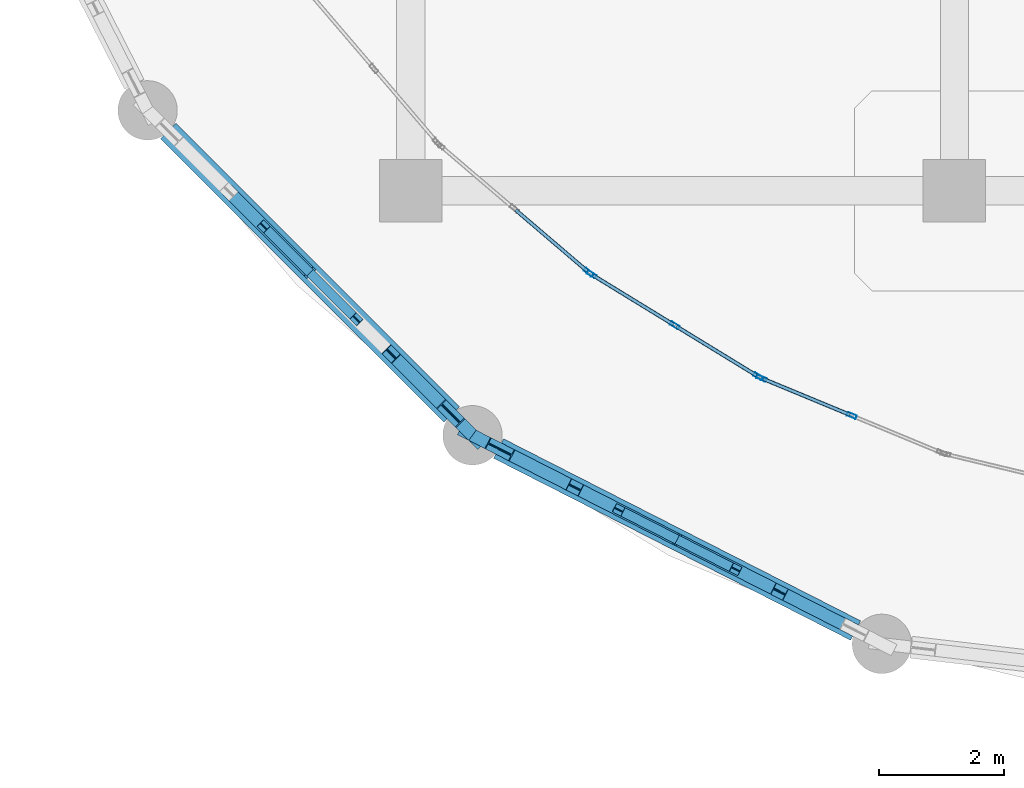
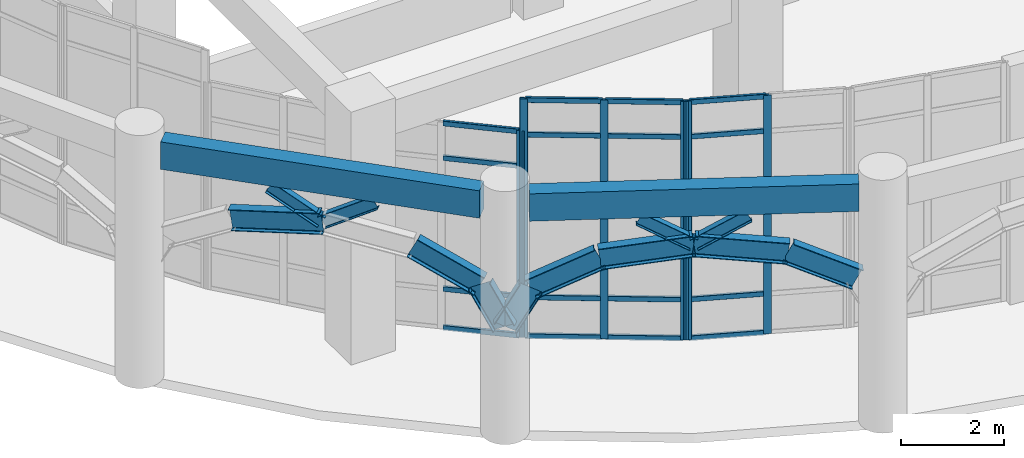
# One storey, part 2 of 82: 26 members, 10 beams, 3 elements without a shape of their own.
"""IFC4 building model written with IfcOpenShell, lengths in metres."""

import ifcopenshell
import ifcopenshell.guid

model = None  # the IFC model being written
_history = None  # IfcOwnerHistory: only IFC2X3 demands one
_inside = {}  # id of a spatial element -> (the spatial element, [elements in it])
_under = {}  # id of a project, library or spatial element -> (it, [spatial elements below it])
_declared = {}  # id of a project -> (the project, [libraries it declares])
_typed = {}  # id of a type object -> (the type object, [elements of that type])
_made_of = {}  # id of a material, layer set ... -> (it, [elements and type objects made of it])


def new_model(schema):
    """Start an empty IFC model of exactly this schema.

    Asked for "IFC4X3", IfcOpenShell would pick the latest addendum, in which some entities
    have other attributes; the version numbers below select the first issue.
    IFC2X3 requires an IfcOwnerHistory on every rooted entity: one is made here for all.
    """
    global model, _history
    if schema == "IFC4X3":
        model = ifcopenshell.file(schema_version=(4, 3, 0, 0))
    else:
        model = ifcopenshell.file(schema=schema)
    _inside.clear()
    _under.clear()
    _declared.clear()
    _typed.clear()
    _made_of.clear()
    _history = None
    if model.schema == "IFC2X3":
        org = make("IfcOrganization", Name="unknown")
        user = make(
            "IfcPersonAndOrganization",
            ThePerson=make("IfcPerson", FamilyName="unknown"),
            TheOrganization=org,
        )
        app = make(
            "IfcApplication",
            ApplicationDeveloper=org,
            Version="unknown",
            ApplicationFullName="unknown",
            ApplicationIdentifier="unknown",
        )
        _history = make(
            "IfcOwnerHistory",
            OwningUser=user,
            OwningApplication=app,
            ChangeAction="ADDED",
            CreationDate=0,
        )
    return model


def make(cls, **values):
    """One entity of the class cls with the attributes given. An attribute that is None is left unset."""
    return model.create_entity(
        cls, **{name: value for name, value in values.items() if value is not None}
    )


def rooted(cls, **values):
    """An entity with a GlobalId (a new one), such as an element, a storey or a relation."""
    return make(cls, GlobalId=ifcopenshell.guid.new(), OwnerHistory=_history, **values)


def si_unit(unit_type, name, prefix=None):
    """IfcSIUnit, for example si_unit("LENGTHUNIT", "METRE", prefix="MILLI")."""
    return make("IfcSIUnit", UnitType=unit_type, Prefix=prefix, Name=name)


def derived_unit(unit_type, elements):
    """IfcDerivedUnit: a product of units, each with its exponent."""
    return make(
        "IfcDerivedUnit",
        Elements=[
            make("IfcDerivedUnitElement", Unit=unit, Exponent=power)
            for unit, power in elements
        ],
        UnitType=unit_type,
    )


def assignment(units):
    """IfcUnitAssignment: the units of a project."""
    return None if units is None else make("IfcUnitAssignment", Units=units)


def point(xyz):
    """IfcCartesianPoint."""
    return None if xyz is None else make("IfcCartesianPoint", Coordinates=xyz)


def direction(xyz):
    """IfcDirection."""
    return None if xyz is None else make("IfcDirection", DirectionRatios=xyz)


def frame(location, z_axis=None, x_axis=None):
    """IfcAxis2Placement3D, a coordinate frame: its origin and axes. An axis left out is left unset."""
    return make(
        "IfcAxis2Placement3D",
        Location=point(location),
        Axis=direction(z_axis),
        RefDirection=direction(x_axis),
    )


def frame_2d(location, x_axis=None):
    """IfcAxis2Placement2D, a coordinate frame in the plane: its origin and x axis."""
    return make(
        "IfcAxis2Placement2D", Location=point(location), RefDirection=direction(x_axis)
    )


def origin():
    """The frame at (0, 0, 0) with its axes left unset."""
    return frame((0.0, 0.0, 0.0))


def origin_2d():
    """The frame at (0, 0) in the plane with its x axis left unset."""
    return frame_2d((0.0, 0.0))


def place(relative_to, where):
    """IfcLocalPlacement: puts the frame where relative to a parent placement (None: the world)."""
    return make(
        "IfcLocalPlacement", PlacementRelTo=relative_to, RelativePlacement=where
    )


def context(
    kind, dimensions, precision=None, world=None, true_north=None, identifier=None
):
    """IfcGeometricRepresentationContext, for example the 3D "Model" context."""
    return make(
        "IfcGeometricRepresentationContext",
        ContextIdentifier=identifier,
        ContextType=kind,
        CoordinateSpaceDimension=dimensions,
        Precision=precision,
        WorldCoordinateSystem=world,
        TrueNorth=true_north,
    )


def subcontext(parent, identifier, kind, view, scale=None):
    """IfcGeometricRepresentationSubContext, for example "Body" below "Model"."""
    return make(
        "IfcGeometricRepresentationSubContext",
        ContextIdentifier=identifier,
        ContextType=kind,
        ParentContext=parent,
        TargetScale=scale,
        TargetView=view,
    )


def project(units=None, contexts=None):
    """IfcProject with its units and contexts."""
    return rooted(
        "IfcProject",
        Name="project",
        RepresentationContexts=contexts,
        UnitsInContext=assignment(units),
    )


def spatial(cls, under=None, at=None, **own):
    """A site, building, storey or space (cls), placed at a placement, below another one or the project."""
    s = rooted(cls, ObjectPlacement=at, **own)
    if under is not None:
        _under.setdefault(under.id(), (under, []))[1].append(s)
    return s


def profile(cls, at=None, kind="AREA", **sizes):
    """A parametric profile (cls). Its sizes go by their IFC names, for example OverallWidth=200.0."""
    return make(cls, ProfileType=kind, Position=at, **sizes)


def rectangle(**sizes):
    """IfcRectangleProfileDef."""
    return profile("IfcRectangleProfileDef", **sizes)


def hollow_rectangle(**sizes):
    """IfcRectangleHollowProfileDef."""
    return profile("IfcRectangleHollowProfileDef", **sizes)


def i_section(**sizes):
    """IfcIShapeProfileDef."""
    return profile("IfcIShapeProfileDef", **sizes)


def extrude(swept, where, along, depth):
    """IfcExtrudedAreaSolid: the profile swept, set in the frame where, extruded along a direction by depth."""
    return make(
        "IfcExtrudedAreaSolid",
        SweptArea=swept,
        Position=where,
        ExtrudedDirection=direction(along),
        Depth=depth,
    )


def shape(context_of_items, identifier, shape_type, items):
    """IfcShapeRepresentation: the items that make up one representation, for example the "Body"."""
    return make(
        "IfcShapeRepresentation",
        ContextOfItems=context_of_items,
        RepresentationIdentifier=identifier,
        RepresentationType=shape_type,
        Items=items,
    )


def material(Name=None, Category=None):
    """IfcMaterial."""
    return make("IfcMaterial", Name=Name, Category=Category)


def layer(
    of_material, thickness, ventilated=None, Name=None, Category=None, Priority=None
):
    """IfcMaterialLayer: one layer of a wall or slab, of a material (None: an air gap)."""
    return make(
        "IfcMaterialLayer",
        Material=of_material,
        LayerThickness=thickness,
        IsVentilated=ventilated,
        Name=Name,
        Category=Category,
        Priority=Priority,
    )


def layer_set(layers, Name=None):
    """IfcMaterialLayerSet."""
    return make("IfcMaterialLayerSet", MaterialLayers=layers, LayerSetName=Name)


def material_profile(
    of_material, cross_section, Name=None, Category=None, Priority=None
):
    """IfcMaterialProfile: a cross section and its material."""
    return make(
        "IfcMaterialProfile",
        Name=Name,
        Material=of_material,
        Profile=cross_section,
        Priority=Priority,
        Category=Category,
    )


def profile_set(profiles, Name=None, composite=None):
    """IfcMaterialProfileSet."""
    return make(
        "IfcMaterialProfileSet",
        Name=Name,
        MaterialProfiles=profiles,
        CompositeProfile=composite,
    )


def made_of(thing, what):
    """Note that an element or type object is made of a material, layer set ...; save() writes the relation."""
    if what is not None:
        _made_of.setdefault(what.id(), (what, []))[1].append(thing)
    return thing


def type_object(cls, material=None, **own):
    """A type object (cls), such as IfcWallType, which elements share."""
    return made_of(rooted(cls, **own), material)


def element(
    cls,
    number,
    at=None,
    inside=None,
    cuts=None,
    type_object=None,
    material=None,
    context=None,
    identifier="Body",
    shape_type=None,
    held_by="IfcProductDefinitionShape",
    body=None,
    shapes=None,
    **own,
):
    """One element of the class cls, such as IfcWall. Its Tag is "e" and its number.

    at: its placement. inside: the storey or other place that contains it. cuts: it is an
    opening in that element (IfcRelVoidsElement). A single representation is given by context,
    identifier, shape_type and body (its items); several are given by shapes. held_by: the class
    of the entity that holds the representations. save() writes the other relations.
    """
    e = rooted(cls, Tag="e%d" % number, ObjectPlacement=at, **own)
    if body is not None:
        shapes = [shape(context, identifier, shape_type, body)]
    if shapes is not None:
        e.Representation = make(held_by, Representations=shapes)
    if inside is not None:
        _inside.setdefault(inside.id(), (inside, []))[1].append(e)
    if cuts is not None:
        rooted(
            "IfcRelVoidsElement", RelatingBuildingElement=cuts, RelatedOpeningElement=e
        )
    if type_object is not None:
        _typed.setdefault(type_object.id(), (type_object, []))[1].append(e)
    return made_of(e, material)


def aggregate(whole, parts):
    """IfcRelAggregates: a whole, such as a stair, and the parts it consists of."""
    return rooted("IfcRelAggregates", RelatingObject=whole, RelatedObjects=parts)


def save(model, path):
    """Write the relations noted so far, then the file.

    IfcRelAggregates (storeys below a building ...), IfcRelContainedInSpatialStructure (elements
    in a storey), IfcRelDefinesByType, IfcRelAssociatesMaterial and IfcRelDeclares: one each for
    every whole, place, type object, material and project.
    """
    for whole, parts in _under.values():
        aggregate(whole, parts)
    for where, things in _inside.values():
        rooted(
            "IfcRelContainedInSpatialStructure",
            RelatedElements=things,
            RelatingStructure=where,
        )
    for kind, things in _typed.values():
        rooted("IfcRelDefinesByType", RelatedObjects=things, RelatingType=kind)
    for what, things in _made_of.values():
        rooted("IfcRelAssociatesMaterial", RelatedObjects=things, RelatingMaterial=what)
    for by, libraries in _declared.values():
        rooted("IfcRelDeclares", RelatingContext=by, RelatedDefinitions=libraries)
    model.write(path)


model = new_model("IFC4")

# Units and contexts
model_context = context("Model", 3, precision=1e-05, world=origin(), true_north=direction((0.0, 1.0)))
body_context = subcontext(model_context, "Body", "Model", "MODEL_VIEW")
ifc_project = project(units=[si_unit("LENGTHUNIT", "METRE"), si_unit("AREAUNIT", "SQUARE_METRE"), si_unit("VOLUMEUNIT", "CUBIC_METRE"), si_unit("PLANEANGLEUNIT", "RADIAN"), si_unit("MASSUNIT", "GRAM", prefix="KILO"), derived_unit("THERMALTRANSMITTANCEUNIT", [(si_unit("MASSUNIT", "GRAM", prefix="KILO"), 1), (si_unit("TIMEUNIT", "SECOND"), -3), (si_unit("THERMODYNAMICTEMPERATUREUNIT", "KELVIN"), -1)])], contexts=[model_context])

# Site, building, storey
site_placement = place(None, origin())
site = spatial("IfcSite", under=ifc_project, at=site_placement, CompositionType="ELEMENT")
building_placement = place(site_placement, origin())
building = spatial("IfcBuilding", under=site, at=building_placement, Name="Qinzheling Arcade Emporium", CompositionType="ELEMENT")
storey_placement = place(building_placement, origin())
storey = spatial("IfcBuildingStorey", under=building, at=storey_placement, Name="L01", CompositionType="ELEMENT", Elevation=0.0)

# Beams
ifc_material_1 = material(Name="Weathering steel Q355NH", Category="steel")
ifc_material_profile_1 = material_profile(ifc_material_1, i_section(OverallWidth=0.199951171875, OverallDepth=0.5, WebThickness=0.010009765625, FlangeThickness=0.01611328125, FilletRadius=0.01806640625, at=origin_2d()), Name="HN 500x200x10x16", Category="steel")
ifc_profile_set_1 = profile_set([ifc_material_profile_1], Name="Weathering steel Q355NH")
beam_type_1 = type_object("IfcBeamType", Name="Arcade End Arch Rib HN500 Q355NH", PredefinedType="BEAM", material=ifc_profile_set_1)
beam_1_placement = place(storey_placement, frame((5.7880859375, 8.386962890625, 4.054931640625), z_axis=(0.701096838493, -0.700701780169, 0.132212852338), x_axis=(0.706907474547, 0.707306031665, 0.0)))
element("IfcBeam", 1, at=beam_1_placement, inside=storey, type_object=beam_type_1, Name="Curved Arcade Entrance Arch ARC-L01-CV1-B03-C03", PredefinedType="BEAM", context=body_context, shape_type="SweptSolid", body=[
    extrude(i_section(OverallWidth=0.199951171875, OverallDepth=0.5, WebThickness=0.010009765625, FlangeThickness=0.01611328125, FilletRadius=0.01806640625, at=origin_2d()), origin(), (0.0, 0.0, 1.0), 1.85400390625),
])
beam_2_placement = place(storey_placement, frame((8.386962890625, 5.7880859375, 4.054931640625), z_axis=(0.633632875076, -0.633632875076, -0.443867952489), x_axis=(0.707106781187, 0.707106781187, 0.0)))
element("IfcBeam", 2, at=beam_2_placement, inside=storey, type_object=beam_type_1, Name="Curved Arcade Entrance Arch ARC-L01-CV1-B03-C05", PredefinedType="BEAM", context=body_context, shape_type="SweptSolid", body=[
    extrude(i_section(OverallWidth=0.199951171875, OverallDepth=0.5, WebThickness=0.010009765625, FlangeThickness=0.01611328125, FilletRadius=0.01806640625, at=origin_2d()), origin(), (0.0, 0.0, 1.0), 1.502685546875),
])
beam_3_placement = place(storey_placement, frame((9.339111328125, 4.8359375, 3.387939453125), z_axis=(0.335490398639, -0.335490398639, -0.880279719658), x_axis=(0.707106781187, 0.707106781187, 0.0)))
element("IfcBeam", 3, at=beam_3_placement, inside=storey, type_object=beam_type_1, Name="Curved Arcade Entrance Arch ARC-L01-CV1-B03-C06", PredefinedType="BEAM", context=body_context, shape_type="SweptSolid", body=[
    extrude(i_section(OverallWidth=0.199951171875, OverallDepth=0.5, WebThickness=0.010009765625, FlangeThickness=0.01611328125, FilletRadius=0.01806640625, at=origin_2d()), origin(), (0.0, 0.0, 1.0), 1.037109375),
])
beam_4_placement = place(storey_placement, frame((9.68701171875, 4.488037109375, 2.47509765625), z_axis=(0.423139078222, -0.216040975421, 0.879931598149), x_axis=(0.454726998779, 0.890630875605, 0.0)))
element("IfcBeam", 4, at=beam_4_placement, inside=storey, type_object=beam_type_1, Name="Curved Arcade Entrance Arch ARC-L01-CV1-B04-C01", PredefinedType="BEAM", context=body_context, shape_type="SweptSolid", body=[
    extrude(i_section(OverallWidth=0.199951171875, OverallDepth=0.5, WebThickness=0.010009765625, FlangeThickness=0.01611328125, FilletRadius=0.01806640625, at=origin_2d()), origin(), (0.0, 0.0, 1.0), 1.037353515625),
])
beam_5_placement = place(storey_placement, frame((10.1259765625, 4.263916015625, 3.387939453125), z_axis=(0.798544513318, -0.406182894373, 0.444232052613), x_axis=(0.453373771918, 0.891320493951, 0.0)))
element("IfcBeam", 5, at=beam_5_placement, inside=storey, type_object=beam_type_1, Name="Curved Arcade Entrance Arch ARC-L01-CV1-B04-C02", PredefinedType="BEAM", context=body_context, shape_type="SweptSolid", body=[
    extrude(i_section(OverallWidth=0.199951171875, OverallDepth=0.5, WebThickness=0.010009765625, FlangeThickness=0.01611328125, FilletRadius=0.01806640625, at=origin_2d()), origin(), (0.0, 0.0, 1.0), 1.50146484375),
])
beam_6_placement = place(storey_placement, frame((11.324951171875, 3.654052734375, 4.054931640625), z_axis=(0.88299051089, -0.450384421662, 0.132218116769), x_axis=(0.454373527585, 0.890811258028, 0.0)))
element("IfcBeam", 6, at=beam_6_placement, inside=storey, type_object=beam_type_1, Name="Curved Arcade Entrance Arch ARC-L01-CV1-B04-C03", PredefinedType="BEAM", context=body_context, shape_type="SweptSolid", body=[
    extrude(i_section(OverallWidth=0.199951171875, OverallDepth=0.5, WebThickness=0.010009765625, FlangeThickness=0.01611328125, FilletRadius=0.01806640625, at=origin_2d()), origin(), (0.0, 0.0, 1.0), 1.85400390625),
])
beam_7_placement = place(storey_placement, frame((12.9619140625, 2.819091796875, 4.300048828125), z_axis=(0.883344690441, -0.449702751497, -0.132172588555), x_axis=(0.45368304067, 0.891163115601, 0.0)))
element("IfcBeam", 7, at=beam_7_placement, inside=storey, type_object=beam_type_1, Name="Curved Arcade Entrance Arch ARC-L01-CV1-B04-C04", PredefinedType="BEAM", context=body_context, shape_type="SweptSolid", body=[
    extrude(i_section(OverallWidth=0.199951171875, OverallDepth=0.5, WebThickness=0.010009765625, FlangeThickness=0.01611328125, FilletRadius=0.01806640625, at=origin_2d()), origin(), (0.0, 0.0, 1.0), 1.8544921875),
])
beam_8_placement = place(storey_placement, frame((14.60009765625, 1.985107421875, 4.054931640625), z_axis=(0.798280674248, -0.406861439145, -0.444085278364), x_axis=(0.454094271362, 0.890953642293, 0.0)))
element("IfcBeam", 8, at=beam_8_placement, inside=storey, type_object=beam_type_1, Name="Curved Arcade Entrance Arch ARC-L01-CV1-B04-C05", PredefinedType="BEAM", context=body_context, shape_type="SweptSolid", body=[
    extrude(i_section(OverallWidth=0.199951171875, OverallDepth=0.5, WebThickness=0.010009765625, FlangeThickness=0.01611328125, FilletRadius=0.01806640625, at=origin_2d()), origin(), (0.0, 0.0, 1.0), 1.501953125),
])

# Members
ifc_material_profile_2 = material_profile(ifc_material_1, i_section(OverallWidth=0.14990234375, OverallDepth=0.300048828125, WebThickness=0.006591796875, FlangeThickness=0.009033203125, FilletRadius=0.012939453125, at=origin_2d()), Name="HN 300x150x6.5x9", Category="steel")
ifc_profile_set_2 = profile_set([ifc_material_profile_2], Name="Weathering steel Q355NH")
member_type_1 = type_object("IfcMemberType", Name="Arcade Spandrel Web Chord HN300 Q355NH", PredefinedType="CHORD", material=ifc_profile_set_2)
for number, where, z_axis, x_axis, name in (
    (9, (7.087890625, 7.087890625, 4.31005859375), (-0.604132763855, 0.603537167965, 0.520352275407), (-0.706757965934, -0.707455424453, 0.0), "Arcade Spandrel Web Chord ASW-L01-CV1-B03-W1"),
    (10, (7.087890625, 7.087890625, 4.31005859375), (0.603537167965, -0.604132763855, 0.520352275407), (0.707455424453, 0.706757965934, 0.0), "Arcade Spandrel Web Chord ASW-L01-CV1-B03-W2"),
):
    element("IfcMember", number, at=place(storey_placement, frame(where, z_axis=z_axis, x_axis=x_axis)), inside=storey, type_object=member_type_1, Name=name, PredefinedType="CHORD", context=body_context, shape_type="SweptSolid", body=[
        extrude(i_section(OverallWidth=0.14990234375, OverallDepth=0.300048828125, WebThickness=0.006591796875, FlangeThickness=0.009033203125, FilletRadius=0.012939453125, at=origin_2d()), origin(), (0.0, 0.0, 1.0), 1.229736328125),
    ])
member_1_placement = place(storey_placement, frame((12.9619140625, 2.819091796875, 4.31005859375), z_axis=(-0.760568682786, 0.387931741312, 0.520619095739), x_axis=(-0.454364854238, -0.890815681964, 0.0)))
element("IfcMember", 11, at=member_1_placement, inside=storey, type_object=member_type_1, Name="Arcade Spandrel Web Chord ASW-L01-CV1-B04-W1", PredefinedType="CHORD", context=body_context, shape_type="SweptSolid", body=[
    extrude(i_section(OverallWidth=0.14990234375, OverallDepth=0.300048828125, WebThickness=0.006591796875, FlangeThickness=0.009033203125, FilletRadius=0.012939453125, at=origin_2d()), origin(), (0.0, 0.0, 1.0), 1.22900390625),
])
member_2_placement = place(storey_placement, frame((12.9619140625, 2.819091796875, 4.31005859375), z_axis=(0.760928305929, -0.387807488207, 0.52018599109), x_axis=(0.454078946056, 0.890961453009, 0.0)))
element("IfcMember", 12, at=member_2_placement, inside=storey, type_object=member_type_1, Name="Arcade Spandrel Web Chord ASW-L01-CV1-B04-W2", PredefinedType="CHORD", context=body_context, shape_type="SweptSolid", body=[
    extrude(i_section(OverallWidth=0.14990234375, OverallDepth=0.300048828125, WebThickness=0.006591796875, FlangeThickness=0.009033203125, FilletRadius=0.012939453125, at=origin_2d()), origin(), (0.0, 0.0, 1.0), 1.230224609375),
])

# Curtain wall, members
ifc_material_2 = material(Name="Anodised aluminium and solar-control double glazing", Category="aluminium")
ifc_layer = layer(ifc_material_2, 0.159912109375, Name="Anodised aluminium and solar-control double glazing", Category="aluminium")
ifc_layer_set = layer_set([ifc_layer], Name="Anodised aluminium and solar-control double glazing")
curtain_wall_type = type_object("IfcCurtainWallType", Name="Curved Ribbon Sales Curtain Wall", PredefinedType="NOTDEFINED", material=ifc_layer_set)
curtain_wall_1_placement = place(storey_placement, origin())
curtain_wall_1 = element("IfcCurtainWall", 13, at=curtain_wall_1_placement, inside=storey, type_object=curtain_wall_type, Name="Curtain Wall CW-L01-012", PredefinedType="NOTDEFINED")
ifc_material_3 = material(Name="Anodised aluminium 6063-T6", Category="aluminium")
ifc_material_profile_3 = material_profile(ifc_material_3, hollow_rectangle(XDim=0.06005859375, YDim=0.159912109375, WallThickness=0.00390625, InnerFilletRadius=0.00390625, OuterFilletRadius=0.008056640625, at=origin_2d()), Name="RHS 160x60x4", Category="aluminium")
ifc_profile_set_3 = profile_set([ifc_material_profile_3], Name="Anodised aluminium 6063-T6")
member_type_2 = type_object("IfcMemberType", Name="Curtain Wall Mullion RHS160x60", PredefinedType="MULLION", material=ifc_profile_set_3)
member_3_placement = place(storey_placement, frame((15.755615234375, 4.803466796875, 0.0), z_axis=(0.0, 0.0, 1.0), x_axis=(-0.382675256043, -0.923882919212, 0.0)))
member_3 = element("IfcMember", 14, at=member_3_placement, type_object=member_type_2, Name="CW02 mullion 2", PredefinedType="MULLION", context=body_context, shape_type="SweptSolid", body=[
    extrude(hollow_rectangle(XDim=0.06005859375, YDim=0.159912109375, WallThickness=0.00390625, InnerFilletRadius=0.00390625, OuterFilletRadius=0.008056640625, at=origin_2d()), origin(), (0.0, 0.0, 1.0), 5.659912109375),
])
member_4_placement = place(storey_placement, frame((14.311767578125, 5.401611328125, 0.0), z_axis=(0.0, 0.0, 1.0), x_axis=(-0.382675256043, -0.923882919212, 0.0)))
member_4 = element("IfcMember", 15, at=member_4_placement, type_object=member_type_2, Name="CW02 mullion 3", PredefinedType="MULLION", context=body_context, shape_type="SweptSolid", body=[
    extrude(hollow_rectangle(XDim=0.06005859375, YDim=0.159912109375, WallThickness=0.00390625, InnerFilletRadius=0.00390625, OuterFilletRadius=0.008056640625, at=origin_2d()), origin(), (0.0, 0.0, 1.0), 5.659912109375),
])

curtain_wall_2_placement = place(storey_placement, origin())
curtain_wall_2 = element("IfcCurtainWall", 16, at=curtain_wall_2_placement, inside=storey, type_object=curtain_wall_type, Name="Curtain Wall CW-L01-013", PredefinedType="NOTDEFINED")
member_5_placement = place(storey_placement, frame((14.25830078125, 5.4287109375, 0.0), z_axis=(0.0, 0.0, 1.0), x_axis=(-0.522414811302, -0.852691482854, 0.0)))
member_5 = element("IfcMember", 17, at=member_5_placement, type_object=member_type_2, Name="CW02 mullion 1", PredefinedType="MULLION", context=body_context, shape_type="SweptSolid", body=[
    extrude(hollow_rectangle(XDim=0.06005859375, YDim=0.159912109375, WallThickness=0.00390625, InnerFilletRadius=0.00390625, OuterFilletRadius=0.008056640625, at=origin_2d()), origin(), (0.0, 0.0, 1.0), 5.659912109375),
])
member_6_placement = place(storey_placement, frame((12.926025390625, 6.2451171875, 0.0), z_axis=(0.0, 0.0, 1.0), x_axis=(-0.522414811302, -0.852691482854, 0.0)))
member_6 = element("IfcMember", 18, at=member_6_placement, type_object=member_type_2, Name="CW02 mullion 2", PredefinedType="MULLION", context=body_context, shape_type="SweptSolid", body=[
    extrude(hollow_rectangle(XDim=0.06005859375, YDim=0.159912109375, WallThickness=0.00390625, InnerFilletRadius=0.00390625, OuterFilletRadius=0.008056640625, at=origin_2d()), origin(), (0.0, 0.0, 1.0), 5.659912109375),
])
member_7_placement = place(storey_placement, frame((11.593505859375, 7.061279296875, 0.0), z_axis=(0.0, 0.0, 1.0), x_axis=(-0.522414811302, -0.852691482854, 0.0)))
member_7 = element("IfcMember", 19, at=member_7_placement, type_object=member_type_2, Name="CW02 mullion 3", PredefinedType="MULLION", context=body_context, shape_type="SweptSolid", body=[
    extrude(hollow_rectangle(XDim=0.06005859375, YDim=0.159912109375, WallThickness=0.00390625, InnerFilletRadius=0.00390625, OuterFilletRadius=0.008056640625, at=origin_2d()), origin(), (0.0, 0.0, 1.0), 5.659912109375),
])

# Curtain wall, member
curtain_wall_3_placement = place(storey_placement, origin())
curtain_wall_3 = element("IfcCurtainWall", 20, at=curtain_wall_3_placement, inside=storey, type_object=curtain_wall_type, Name="Curtain Wall CW-L01-014", PredefinedType="NOTDEFINED")
member_8_placement = place(storey_placement, frame((11.545166015625, 7.096435546875, 0.0), z_axis=(0.0, 0.0, 1.0), x_axis=(-0.64952366287, -0.76034137818, 0.0)))
member_8 = element("IfcMember", 21, at=member_8_placement, type_object=member_type_2, Name="CW02 mullion 1", PredefinedType="MULLION", context=body_context, shape_type="SweptSolid", body=[
    extrude(hollow_rectangle(XDim=0.06005859375, YDim=0.159912109375, WallThickness=0.00390625, InnerFilletRadius=0.00390625, OuterFilletRadius=0.008056640625, at=origin_2d()), origin(), (0.0, 0.0, 1.0), 4.905029296875),
])

# Member
ifc_material_profile_4 = material_profile(ifc_material_3, hollow_rectangle(XDim=0.06005859375, YDim=0.1201171875, WallThickness=0.00390625, InnerFilletRadius=0.00390625, OuterFilletRadius=0.008056640625, at=origin_2d()), Name="RHS 120x60x4", Category="aluminium")
ifc_profile_set_4 = profile_set([ifc_material_profile_4], Name="Anodised aluminium 6063-T6")
member_type_3 = type_object("IfcMemberType", Name="Curtain Wall Transom RHS120x60", PredefinedType="USERDEFINED", material=ifc_profile_set_4)
member_9_placement = place(storey_placement, frame((15.727783203125, 4.81494140625, 0.030029296875), z_axis=(-0.923858425394, 0.38273438548, 0.0), x_axis=(-0.38273438548, -0.923858425394, 0.0)))
member_9 = element("IfcMember", 22, at=member_9_placement, type_object=member_type_3, Name="CW02 transom 2.1", ObjectType="TRANSOM", PredefinedType="USERDEFINED", context=body_context, shape_type="SweptSolid", body=[
    extrude(hollow_rectangle(XDim=0.06005859375, YDim=0.1201171875, WallThickness=0.00390625, InnerFilletRadius=0.00390625, OuterFilletRadius=0.008056640625, at=origin_2d()), origin(), (0.0, 0.0, 1.0), 1.5029296875),
])

member_10_placement = place(storey_placement, frame((15.727783203125, 4.81494140625, 0.949951171875), z_axis=(-0.923858425394, 0.38273438548, 0.0), x_axis=(-0.38273438548, -0.923858425394, 0.0)))
member_10 = element("IfcMember", 23, at=member_10_placement, type_object=member_type_3, Name="CW02 transom 2.2", ObjectType="TRANSOM", PredefinedType="USERDEFINED", context=body_context, shape_type="SweptSolid", body=[
    extrude(hollow_rectangle(XDim=0.06005859375, YDim=0.1201171875, WallThickness=0.00390625, InnerFilletRadius=0.00390625, OuterFilletRadius=0.008056640625, at=origin_2d()), origin(), (0.0, 0.0, 1.0), 1.5029296875),
])

member_11_placement = place(storey_placement, frame((15.727783203125, 4.81494140625, 4.81005859375), z_axis=(-0.923858425394, 0.38273438548, 0.0), x_axis=(-0.38273438548, -0.923858425394, 0.0)))
member_11 = element("IfcMember", 24, at=member_11_placement, type_object=member_type_3, Name="CW02 transom 2.3", ObjectType="TRANSOM", PredefinedType="USERDEFINED", context=body_context, shape_type="SweptSolid", body=[
    extrude(hollow_rectangle(XDim=0.06005859375, YDim=0.1201171875, WallThickness=0.00390625, InnerFilletRadius=0.00390625, OuterFilletRadius=0.008056640625, at=origin_2d()), origin(), (0.0, 0.0, 1.0), 1.5029296875),
])

member_12_placement = place(storey_placement, frame((15.727783203125, 4.81494140625, 5.6298828125), z_axis=(-0.923858425394, 0.38273438548, 0.0), x_axis=(-0.38273438548, -0.923858425394, 0.0)))
member_12 = element("IfcMember", 25, at=member_12_placement, type_object=member_type_3, Name="CW02 transom 2.4", ObjectType="TRANSOM", PredefinedType="USERDEFINED", context=body_context, shape_type="SweptSolid", body=[
    extrude(hollow_rectangle(XDim=0.06005859375, YDim=0.1201171875, WallThickness=0.00390625, InnerFilletRadius=0.00390625, OuterFilletRadius=0.008056640625, at=origin_2d()), origin(), (0.0, 0.0, 1.0), 1.5029296875),
])

aggregate(curtain_wall_1, [member_3, member_4, member_9, member_10, member_11, member_12])

member_13_placement = place(storey_placement, frame((14.23291015625, 5.4443359375, 0.030029296875), z_axis=(-0.852710989546, 0.52238297092, 0.0), x_axis=(-0.52238297092, -0.852710989546, 0.0)))
member_13 = element("IfcMember", 26, at=member_13_placement, type_object=member_type_3, Name="CW02 transom 1.1", ObjectType="TRANSOM", PredefinedType="USERDEFINED", context=body_context, shape_type="SweptSolid", body=[
    extrude(hollow_rectangle(XDim=0.06005859375, YDim=0.1201171875, WallThickness=0.00390625, InnerFilletRadius=0.00390625, OuterFilletRadius=0.008056640625, at=origin_2d()), origin(), (0.0, 0.0, 1.0), 1.50244140625),
])

member_14_placement = place(storey_placement, frame((14.23291015625, 5.4443359375, 0.949951171875), z_axis=(-0.852710989546, 0.52238297092, 0.0), x_axis=(-0.52238297092, -0.852710989546, 0.0)))
member_14 = element("IfcMember", 27, at=member_14_placement, type_object=member_type_3, Name="CW02 transom 1.2", ObjectType="TRANSOM", PredefinedType="USERDEFINED", context=body_context, shape_type="SweptSolid", body=[
    extrude(hollow_rectangle(XDim=0.06005859375, YDim=0.1201171875, WallThickness=0.00390625, InnerFilletRadius=0.00390625, OuterFilletRadius=0.008056640625, at=origin_2d()), origin(), (0.0, 0.0, 1.0), 1.50244140625),
])

member_15_placement = place(storey_placement, frame((14.23291015625, 5.4443359375, 4.81005859375), z_axis=(-0.852710989546, 0.52238297092, 0.0), x_axis=(-0.52238297092, -0.852710989546, 0.0)))
member_15 = element("IfcMember", 28, at=member_15_placement, type_object=member_type_3, Name="CW02 transom 1.3", ObjectType="TRANSOM", PredefinedType="USERDEFINED", context=body_context, shape_type="SweptSolid", body=[
    extrude(hollow_rectangle(XDim=0.06005859375, YDim=0.1201171875, WallThickness=0.00390625, InnerFilletRadius=0.00390625, OuterFilletRadius=0.008056640625, at=origin_2d()), origin(), (0.0, 0.0, 1.0), 1.50244140625),
])

member_16_placement = place(storey_placement, frame((14.23291015625, 5.4443359375, 5.6298828125), z_axis=(-0.852710989546, 0.52238297092, 0.0), x_axis=(-0.52238297092, -0.852710989546, 0.0)))
member_16 = element("IfcMember", 29, at=member_16_placement, type_object=member_type_3, Name="CW02 transom 1.4", ObjectType="TRANSOM", PredefinedType="USERDEFINED", context=body_context, shape_type="SweptSolid", body=[
    extrude(hollow_rectangle(XDim=0.06005859375, YDim=0.1201171875, WallThickness=0.00390625, InnerFilletRadius=0.00390625, OuterFilletRadius=0.008056640625, at=origin_2d()), origin(), (0.0, 0.0, 1.0), 1.50244140625),
])

member_17_placement = place(storey_placement, frame((12.900390625, 6.2607421875, 0.030029296875), z_axis=(-0.852710989546, 0.52238297092, 0.0), x_axis=(-0.52238297092, -0.852710989546, 0.0)))
member_17 = element("IfcMember", 30, at=member_17_placement, type_object=member_type_3, Name="CW02 transom 2.1", ObjectType="TRANSOM", PredefinedType="USERDEFINED", context=body_context, shape_type="SweptSolid", body=[
    extrude(hollow_rectangle(XDim=0.06005859375, YDim=0.1201171875, WallThickness=0.00390625, InnerFilletRadius=0.00390625, OuterFilletRadius=0.008056640625, at=origin_2d()), origin(), (0.0, 0.0, 1.0), 1.50244140625),
])

member_18_placement = place(storey_placement, frame((12.900390625, 6.2607421875, 0.949951171875), z_axis=(-0.852710989546, 0.52238297092, 0.0), x_axis=(-0.52238297092, -0.852710989546, 0.0)))
member_18 = element("IfcMember", 31, at=member_18_placement, type_object=member_type_3, Name="CW02 transom 2.2", ObjectType="TRANSOM", PredefinedType="USERDEFINED", context=body_context, shape_type="SweptSolid", body=[
    extrude(hollow_rectangle(XDim=0.06005859375, YDim=0.1201171875, WallThickness=0.00390625, InnerFilletRadius=0.00390625, OuterFilletRadius=0.008056640625, at=origin_2d()), origin(), (0.0, 0.0, 1.0), 1.50244140625),
])

member_19_placement = place(storey_placement, frame((12.900390625, 6.2607421875, 4.81005859375), z_axis=(-0.852710989546, 0.52238297092, 0.0), x_axis=(-0.52238297092, -0.852710989546, 0.0)))
member_19 = element("IfcMember", 32, at=member_19_placement, type_object=member_type_3, Name="CW02 transom 2.3", ObjectType="TRANSOM", PredefinedType="USERDEFINED", context=body_context, shape_type="SweptSolid", body=[
    extrude(hollow_rectangle(XDim=0.06005859375, YDim=0.1201171875, WallThickness=0.00390625, InnerFilletRadius=0.00390625, OuterFilletRadius=0.008056640625, at=origin_2d()), origin(), (0.0, 0.0, 1.0), 1.50244140625),
])

member_20_placement = place(storey_placement, frame((12.900390625, 6.2607421875, 5.6298828125), z_axis=(-0.852710989546, 0.52238297092, 0.0), x_axis=(-0.52238297092, -0.852710989546, 0.0)))
member_20 = element("IfcMember", 33, at=member_20_placement, type_object=member_type_3, Name="CW02 transom 2.4", ObjectType="TRANSOM", PredefinedType="USERDEFINED", context=body_context, shape_type="SweptSolid", body=[
    extrude(hollow_rectangle(XDim=0.06005859375, YDim=0.1201171875, WallThickness=0.00390625, InnerFilletRadius=0.00390625, OuterFilletRadius=0.008056640625, at=origin_2d()), origin(), (0.0, 0.0, 1.0), 1.50244140625),
])

aggregate(curtain_wall_2, [member_5, member_6, member_7, member_13, member_14, member_15, member_16, member_17, member_18, member_19, member_20])

member_21_placement = place(storey_placement, frame((11.5224609375, 7.115966796875, 0.030029296875), z_axis=(-0.760333560054, 0.649532814764, 0.0), x_axis=(-0.649532814764, -0.760333560054, 0.0)))
member_21 = element("IfcMember", 34, at=member_21_placement, type_object=member_type_3, Name="CW02 transom 1.1", ObjectType="TRANSOM", PredefinedType="USERDEFINED", context=body_context, shape_type="SweptSolid", body=[
    extrude(hollow_rectangle(XDim=0.06005859375, YDim=0.1201171875, WallThickness=0.00390625, InnerFilletRadius=0.00390625, OuterFilletRadius=0.008056640625, at=origin_2d()), origin(), (0.0, 0.0, 1.0), 1.502685546875),
])

member_22_placement = place(storey_placement, frame((11.5224609375, 7.115966796875, 0.949951171875), z_axis=(-0.760333560054, 0.649532814764, 0.0), x_axis=(-0.649532814764, -0.760333560054, 0.0)))
member_22 = element("IfcMember", 35, at=member_22_placement, type_object=member_type_3, Name="CW02 transom 1.2", ObjectType="TRANSOM", PredefinedType="USERDEFINED", context=body_context, shape_type="SweptSolid", body=[
    extrude(hollow_rectangle(XDim=0.06005859375, YDim=0.1201171875, WallThickness=0.00390625, InnerFilletRadius=0.00390625, OuterFilletRadius=0.008056640625, at=origin_2d()), origin(), (0.0, 0.0, 1.0), 1.502685546875),
])

member_23_placement = place(storey_placement, frame((11.5224609375, 7.115966796875, 4.054931640625), z_axis=(-0.760333560054, 0.649532814764, 0.0), x_axis=(-0.649532814764, -0.760333560054, 0.0)))
member_23 = element("IfcMember", 36, at=member_23_placement, type_object=member_type_3, Name="CW02 transom 1.3", ObjectType="TRANSOM", PredefinedType="USERDEFINED", context=body_context, shape_type="SweptSolid", body=[
    extrude(hollow_rectangle(XDim=0.06005859375, YDim=0.1201171875, WallThickness=0.00390625, InnerFilletRadius=0.00390625, OuterFilletRadius=0.008056640625, at=origin_2d()), origin(), (0.0, 0.0, 1.0), 1.502685546875),
])

member_24_placement = place(storey_placement, frame((11.5224609375, 7.115966796875, 4.875), z_axis=(-0.760333560054, 0.649532814764, 0.0), x_axis=(-0.649532814764, -0.760333560054, 0.0)))
member_24 = element("IfcMember", 37, at=member_24_placement, type_object=member_type_3, Name="CW02 transom 1.4", ObjectType="TRANSOM", PredefinedType="USERDEFINED", context=body_context, shape_type="SweptSolid", body=[
    extrude(hollow_rectangle(XDim=0.06005859375, YDim=0.1201171875, WallThickness=0.00390625, InnerFilletRadius=0.00390625, OuterFilletRadius=0.008056640625, at=origin_2d()), origin(), (0.0, 0.0, 1.0), 1.502685546875),
])

aggregate(curtain_wall_3, [member_8, member_21, member_22, member_23, member_24])

# Beams
ifc_material_4 = material(Name="Concrete C40", Category="concrete")
ifc_material_profile_5 = material_profile(ifc_material_4, rectangle(XDim=0.35009765625, YDim=0.64990234375, at=origin_2d()), Name="RC 350x650", Category="concrete")
ifc_profile_set_5 = profile_set([ifc_material_profile_5], Name="Concrete C40")
beam_type_2 = type_object("IfcBeamType", Name="RC Spandrel Edge Beam 350x650 C40", PredefinedType="SPANDREL", material=ifc_profile_set_5)
beam_9_placement = place(storey_placement, frame((4.820068359375, 9.35498046875, 5.39501953125), z_axis=(0.707106781187, -0.707106781187, 0.0), x_axis=(0.707106781187, 0.707106781187, 0.0)))
element("IfcBeam", 38, at=beam_9_placement, inside=storey, type_object=beam_type_2, Name="Curved Arcade Spandrel BM-L01-CV1-B03", PredefinedType="SPANDREL", context=body_context, shape_type="SweptSolid", body=[
    extrude(rectangle(XDim=0.35009765625, YDim=0.64990234375, at=origin_2d()), origin(), (0.0, 0.0, 1.0), 6.413330078125),
])
beam_10_placement = place(storey_placement, frame((10.10595703125, 4.27490234375, 5.39501953125), z_axis=(0.890951151868, -0.454099157657, 0.0), x_axis=(0.454099157657, 0.890951151868, 0.0)))
element("IfcBeam", 39, at=beam_10_placement, inside=storey, type_object=beam_type_2, Name="Curved Arcade Spandrel BM-L01-CV1-B04", PredefinedType="SPANDREL", context=body_context, shape_type="SweptSolid", body=[
    extrude(rectangle(XDim=0.35009765625, YDim=0.64990234375, at=origin_2d()), origin(), (0.0, 0.0, 1.0), 6.412353515625),
])

save(model, "model.ifc")
